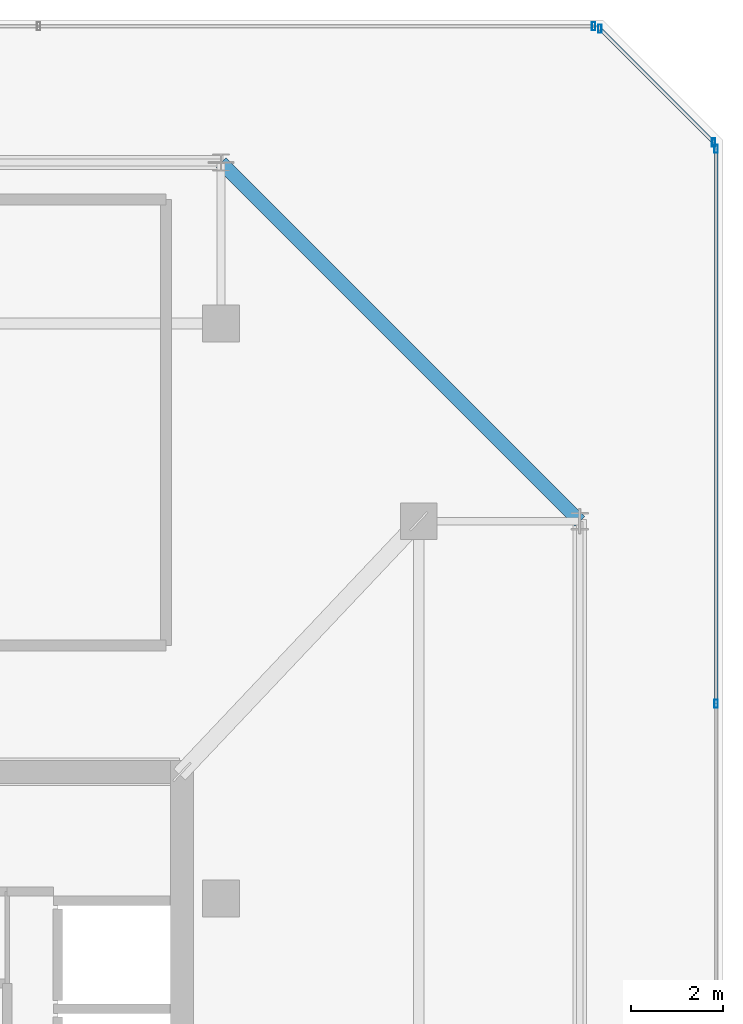
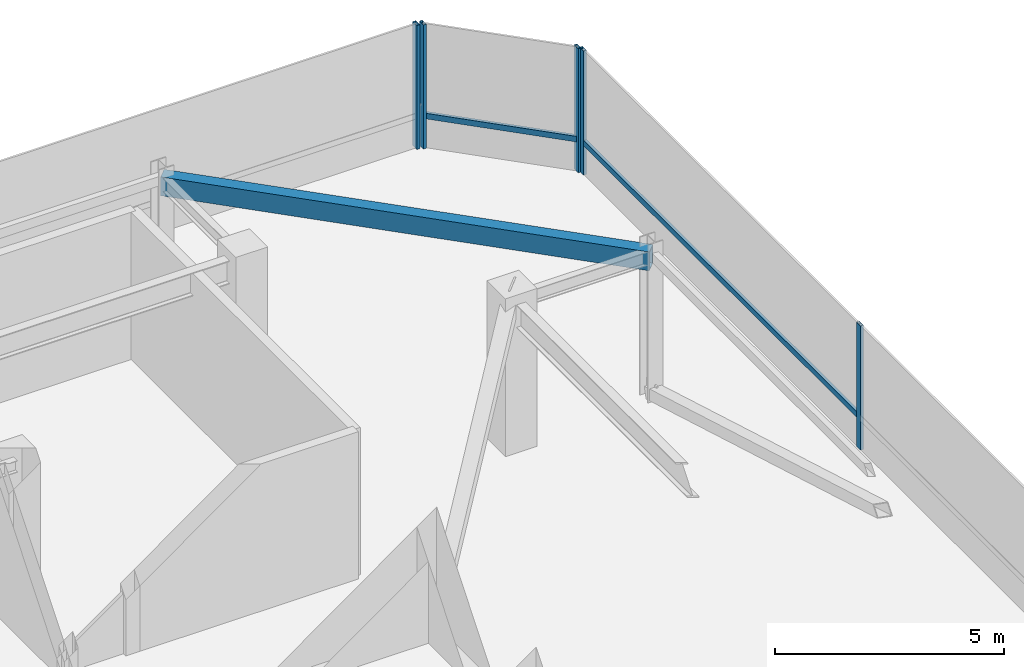
# One storey, part 34 of 47: 7 members, 1 beam, 3 elements without a shape of their own.
"""IFC4 building model written with IfcOpenShell, lengths in metres."""

from ifc_helpers import new_model, si_unit, direction, frame, origin, origin_2d, place, context, subcontext, project, spatial, hollow_rectangle, extrude, material, material_profile, profile_set, type_object, element, aggregate, save


model = new_model("IFC4")

# Units and contexts
model_context = context("Model", 3, precision=1e-05, world=origin(), true_north=direction((0.0, 1.0)))
body_context = subcontext(model_context, "Body", "Model", "MODEL_VIEW")
ifc_project = project(units=[si_unit("LENGTHUNIT", "METRE"), si_unit("AREAUNIT", "SQUARE_METRE"), si_unit("VOLUMEUNIT", "CUBIC_METRE"), si_unit("PLANEANGLEUNIT", "RADIAN"), si_unit("MASSUNIT", "GRAM", prefix="KILO")], contexts=[model_context])

# Site, building, storey
site_placement = place(None, origin())
site = spatial("IfcSite", under=ifc_project, at=site_placement, CompositionType="ELEMENT")
building_placement = place(site_placement, origin())
building = spatial("IfcBuilding", under=site, at=building_placement, Name="Thornwick Lancets Civic Towers", CompositionType="ELEMENT")
storey_placement = place(building_placement, frame((0.0, 0.0, 279.89990234375)))
storey = spatial("IfcBuildingStorey", under=building, at=storey_placement, Name="C01", CompositionType="ELEMENT", Elevation=279.89990234375)

# Beam
ifc_material_1 = material(Name="Steel S460M", Category="steel")
ifc_material_profile_1 = material_profile(ifc_material_1, hollow_rectangle(XDim=0.300048828125, YDim=0.5, WallThickness=0.02001953125, at=origin_2d()), Name="RHS 500x300x20")
ifc_profile_set_1 = profile_set([ifc_material_profile_1], Name="Steel S460M")
beam_type = type_object("IfcBeamType", Name="BM_RING_RHS500", PredefinedType="BEAM", material=ifc_profile_set_1)
beam_placement = place(storey_placement, frame((109.300048828125, 40.0, 3.690185546875), z_axis=(-0.707106781187, 0.707106781187, 0.0), x_axis=(-0.707106781187, -0.707106781187, 0.0)))
element("IfcBeam", 1, at=beam_placement, inside=storey, type_object=beam_type, Name="BM-CHAMF-C01-B-C0", PredefinedType="BEAM", context=body_context, shape_type="SweptSolid", body=[
    extrude(hollow_rectangle(XDim=0.300048828125, YDim=0.5, WallThickness=0.02001953125, at=origin_2d()), origin(), (0.0, 0.0, 1.0), 11.031005859375),
])

# Curtain wall, members
ifc_material_2 = material(Name="Crown ring acoustic-louvre and glazing screen wall", Category="glass")
curtain_wall_type = type_object("IfcCurtainWallType", Name="CW_SYS_07", PredefinedType="NOTDEFINED", material=ifc_material_2)
curtain_wall_1_placement = place(storey_placement, origin())
curtain_wall_1 = element("IfcCurtainWall", 2, at=curtain_wall_1_placement, inside=storey, type_object=curtain_wall_type, Name="C01 Curtain Wall CW-C01-B-E2", PredefinedType="NOTDEFINED")
ifc_material_3 = material(Name="Thermally broken bronze aluminium S355", Category="steel")
ifc_material_profile_2 = material_profile(ifc_material_3, hollow_rectangle(XDim=0.074951171875, YDim=0.179931640625, WallThickness=0.006103515625, at=origin_2d()), Name="RHS 180x75x6")
ifc_profile_set_2 = profile_set([ifc_material_profile_2], Name="Thermally broken bronze aluminium S355")
member_type_1 = type_object("IfcMemberType", Name="CW_MUL_180", PredefinedType="MULLION", material=ifc_profile_set_2)
member_1_placement = place(storey_placement, frame((112.2646484375, 36.03369140625, 0.0), z_axis=(0.0, 0.0, 1.0), x_axis=(1.0, 0.0, 0.0)))
member_1 = element("IfcMember", 3, at=member_1_placement, type_object=member_type_1, Name="CW-C01-B-E2 Mullion 2", PredefinedType="MULLION", context=body_context, shape_type="SweptSolid", body=[
    extrude(hollow_rectangle(XDim=0.074951171875, YDim=0.179931640625, WallThickness=0.006103515625, at=origin_2d()), origin(), (0.0, 0.0, 1.0), 3.300048828125),
])
member_2_placement = place(storey_placement, frame((112.2646484375, 48.101318359375, 0.0), z_axis=(0.0, 0.0, 1.0), x_axis=(1.0, 0.0, 0.0)))
member_2 = element("IfcMember", 4, at=member_2_placement, type_object=member_type_1, Name="CW-C01-B-E2 Mullion 3", PredefinedType="MULLION", context=body_context, shape_type="SweptSolid", body=[
    extrude(hollow_rectangle(XDim=0.074951171875, YDim=0.179931640625, WallThickness=0.006103515625, at=origin_2d()), origin(), (0.0, 0.0, 1.0), 3.300048828125),
])

curtain_wall_2_placement = place(storey_placement, origin())
curtain_wall_2 = element("IfcCurtainWall", 5, at=curtain_wall_2_placement, inside=storey, type_object=curtain_wall_type, Name="C01 Curtain Wall CW-C01-B-E3", PredefinedType="NOTDEFINED")
member_3_placement = place(storey_placement, frame((112.2080078125, 48.238037109375, 0.0), z_axis=(0.0, 0.0, 1.0), x_axis=(1.0, 0.0, 0.0)))
member_3 = element("IfcMember", 6, at=member_3_placement, type_object=member_type_1, Name="CW-C01-B-E3 Mullion 0", PredefinedType="MULLION", context=body_context, shape_type="SweptSolid", body=[
    extrude(hollow_rectangle(XDim=0.074951171875, YDim=0.179931640625, WallThickness=0.006103515625, at=origin_2d()), origin(), (0.0, 0.0, 1.0), 3.300048828125),
])
member_4_placement = place(storey_placement, frame((109.738037109375, 50.7080078125, 0.0), z_axis=(0.0, 0.0, 1.0), x_axis=(1.0, 0.0, 0.0)))
member_4 = element("IfcMember", 7, at=member_4_placement, type_object=member_type_1, Name="CW-C01-B-E3 Mullion 1", PredefinedType="MULLION", context=body_context, shape_type="SweptSolid", body=[
    extrude(hollow_rectangle(XDim=0.074951171875, YDim=0.179931640625, WallThickness=0.006103515625, at=origin_2d()), origin(), (0.0, 0.0, 1.0), 3.300048828125),
])

# Curtain wall, member
curtain_wall_3_placement = place(storey_placement, origin())
curtain_wall_3 = element("IfcCurtainWall", 8, at=curtain_wall_3_placement, inside=storey, type_object=curtain_wall_type, Name="C01 Curtain Wall CW-C01-B-E4", PredefinedType="NOTDEFINED")
member_5_placement = place(storey_placement, frame((109.601318359375, 50.7646484375, 0.0), z_axis=(0.0, 0.0, 1.0), x_axis=(1.0, 0.0, 0.0)))
member_5 = element("IfcMember", 9, at=member_5_placement, type_object=member_type_1, Name="CW-C01-B-E4 Mullion 0", PredefinedType="MULLION", context=body_context, shape_type="SweptSolid", body=[
    extrude(hollow_rectangle(XDim=0.074951171875, YDim=0.179931640625, WallThickness=0.006103515625, at=origin_2d()), origin(), (0.0, 0.0, 1.0), 3.300048828125),
])
aggregate(curtain_wall_3, [member_5])

# Member
ifc_material_profile_3 = material_profile(ifc_material_3, hollow_rectangle(XDim=0.074951171875, YDim=0.14990234375, WallThickness=0.0048828125, at=origin_2d()), Name="RHS 150x75x5")
ifc_profile_set_3 = profile_set([ifc_material_profile_3], Name="Thermally broken bronze aluminium S355")
member_type_2 = type_object("IfcMemberType", Name="CW_TRN_150", PredefinedType="USERDEFINED", material=ifc_profile_set_3)
member_6_placement = place(storey_placement, frame((112.2646484375, 36.0537109375, 0.85009765625), z_axis=(0.0, 1.0, 0.0), x_axis=(-1.0, 0.0, 0.0)))
member_6 = element("IfcMember", 10, at=member_6_placement, type_object=member_type_2, Name="CW-C01-B-E2 Transom 2", ObjectType="TRANSOM", PredefinedType="USERDEFINED", context=body_context, shape_type="SweptSolid", body=[
    extrude(hollow_rectangle(XDim=0.074951171875, YDim=0.14990234375, WallThickness=0.0048828125, at=origin_2d()), origin(), (0.0, 0.0, 1.0), 12.027587890625),
])

aggregate(curtain_wall_1, [member_1, member_2, member_6])

member_7_placement = place(storey_placement, frame((112.19384765625, 48.252197265625, 0.85009765625), z_axis=(-0.707106781187, 0.707106781187, 0.0), x_axis=(-0.707106781187, -0.707106781187, 0.0)))
member_7 = element("IfcMember", 11, at=member_7_placement, type_object=member_type_2, Name="CW-C01-B-E3 Transom 0", ObjectType="TRANSOM", PredefinedType="USERDEFINED", context=body_context, shape_type="SweptSolid", body=[
    extrude(hollow_rectangle(XDim=0.074951171875, YDim=0.14990234375, WallThickness=0.0048828125, at=origin_2d()), origin(), (0.0, 0.0, 1.0), 3.453125),
])

aggregate(curtain_wall_2, [member_3, member_4, member_7])

save(model, "model.ifc")
